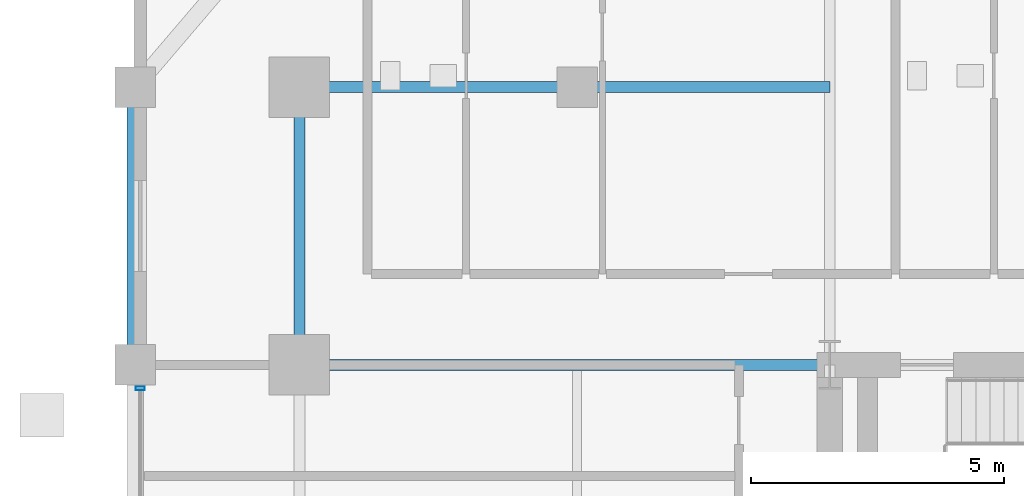
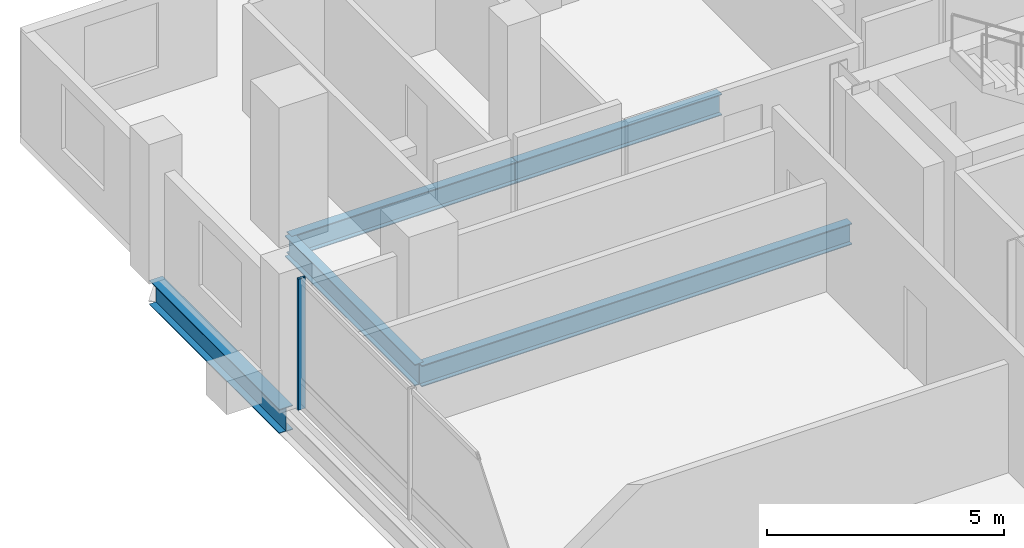
# One storey, part 8 of 19: 5 beams, 1 member, 1 element without a shape of its own.
"""IFC4 building model written with IfcOpenShell, lengths in metres."""

from ifc_helpers import new_model, si_unit, direction, frame, origin, origin_2d, place, context, subcontext, project, spatial, hollow_rectangle, i_section, extrude, material, layer, layer_set, material_profile, profile_set, type_object, element, aggregate, save


model = new_model("IFC4")

# Units and contexts
model_context = context("Model", 3, precision=1e-05, world=origin(), true_north=direction((0.0, 1.0)))
body_context = subcontext(model_context, "Body", "Model", "MODEL_VIEW")
ifc_project = project(units=[si_unit("LENGTHUNIT", "METRE"), si_unit("AREAUNIT", "SQUARE_METRE"), si_unit("VOLUMEUNIT", "CUBIC_METRE"), si_unit("PLANEANGLEUNIT", "RADIAN"), si_unit("MASSUNIT", "GRAM", prefix="KILO")], contexts=[model_context])

# Site, building, storey
site_placement = place(None, origin())
site = spatial("IfcSite", under=ifc_project, at=site_placement, CompositionType="ELEMENT")
building_placement = place(site_placement, origin())
building = spatial("IfcBuilding", under=site, at=building_placement, Name="Barlavira Tower and Art Museum", CompositionType="ELEMENT")
storey_placement = place(building_placement, frame((0.0, 0.0, 113.39990234375)))
storey = spatial("IfcBuildingStorey", under=building, at=storey_placement, Name="L28", CompositionType="ELEMENT", Elevation=113.39990234375)

# Curtain wall, member
ifc_material_1 = material(Name="Low-iron coastal laminated glass", Category="glass")
ifc_layer = layer(ifc_material_1, 0.18994140625, Name="Low-iron coastal laminated glass")
ifc_layer_set = layer_set([ifc_layer], Name="Low-iron coastal laminated glass")
curtain_wall_type = type_object("IfcCurtainWallType", Name="Pale-Metal Unitised Curtain Wall Zone 2", PredefinedType="NOTDEFINED", material=ifc_layer_set)
curtain_wall_placement = place(storey_placement, origin())
curtain_wall = element("IfcCurtainWall", 1, at=curtain_wall_placement, inside=storey, type_object=curtain_wall_type, Name="L28 Curtain Wall CW2-L28-W-B3", PredefinedType="NOTDEFINED")
ifc_material_2 = material(Name="Pale anodised aluminium", Category="aluminium")
ifc_material_profile_1 = material_profile(ifc_material_2, hollow_rectangle(XDim=0.06494140625, YDim=0.179931640625, WallThickness=0.00390625, at=origin_2d()), Name="ALU-MULL 65x180x4")
ifc_profile_set_1 = profile_set([ifc_material_profile_1], Name="Pale anodised aluminium")
member_type = type_object("IfcMemberType", Name="Curtain Wall Pale-Metal Mullion 65x180", PredefinedType="MULLION", material=ifc_profile_set_1)
member_placement = place(storey_placement, frame((-20.14990234375, 7.034912109375, 0.0), z_axis=(0.0, 0.0, 1.0), x_axis=(0.0, -1.0, 0.0)))
member = element("IfcMember", 2, at=member_placement, type_object=member_type, Name="CW2-L28-W-B3 Mullion 0", PredefinedType="MULLION", context=body_context, shape_type="SweptSolid", body=[
    extrude(hollow_rectangle(XDim=0.06494140625, YDim=0.179931640625, WallThickness=0.00390625, at=origin_2d()), origin(), (0.0, 0.0, 1.0), 3.380126953125),
])
aggregate(curtain_wall, [member])

# Beams
ifc_material_3 = material(Name="Steel S355", Category="steel")
ifc_material_profile_2 = material_profile(ifc_material_3, i_section(OverallWidth=0.327880859375, OverallDepth=0.62890625, WebThickness=0.013916015625, FlangeThickness=0.021484375, at=origin_2d()), Name="W610x174.0")
ifc_profile_set_2 = profile_set([ifc_material_profile_2], Name="Steel S355")
beam_type_1 = type_object("IfcBeamType", Name="Perimeter Spandrel Edge Beam W610x174 Steel S355", PredefinedType="SPANDREL", material=ifc_profile_set_2)
beam_1_placement = place(storey_placement, frame((-20.25, 7.5, -0.534423828125), z_axis=(0.0, 1.0, 0.0), x_axis=(-1.0, 0.0, 0.0)))
element("IfcBeam", 3, at=beam_1_placement, inside=storey, type_object=beam_type_1, Name="L28 Spandrel 13", PredefinedType="SPANDREL", context=body_context, shape_type="SweptSolid", body=[
    extrude(i_section(OverallWidth=0.327880859375, OverallDepth=0.62890625, WebThickness=0.013916015625, FlangeThickness=0.021484375, at=origin_2d()), origin(), (0.0, 0.0, 1.0), 5.5),
])
ifc_material_profile_3 = material_profile(ifc_material_3, i_section(OverallWidth=0.214111328125, OverallDepth=0.549072265625, WebThickness=0.0146484375, FlangeThickness=0.023681640625, at=origin_2d()), Name="W530x138.0")
ifc_profile_set_3 = profile_set([ifc_material_profile_3], Name="Steel S355")
beam_type_2 = type_object("IfcBeamType", Name="Zone 1 Primary Floor Girder W530x138 Steel S355", PredefinedType="BEAM", material=ifc_profile_set_3)
beam_2_placement = place(storey_placement, frame((-17.0, 7.5, -0.494384765625), z_axis=(0.0, 1.0, 0.0), x_axis=(-1.0, 0.0, 0.0)))
element("IfcBeam", 4, at=beam_2_placement, inside=storey, type_object=beam_type_2, Name="L28 Girder M-W3", PredefinedType="BEAM", context=body_context, shape_type="SweptSolid", body=[
    extrude(i_section(OverallWidth=0.214111328125, OverallDepth=0.549072265625, WebThickness=0.0146484375, FlangeThickness=0.023681640625, at=origin_2d()), origin(), (0.0, 0.0, 1.0), 5.5),
])
beam_3_placement = place(storey_placement, frame((-17.0, 7.5, -0.494384765625), z_axis=(1.0, 0.0, 0.0), x_axis=(0.0, 1.0, 0.0)))
element("IfcBeam", 5, at=beam_3_placement, inside=storey, type_object=beam_type_2, Name="L28 Girder R-W2", PredefinedType="BEAM", context=body_context, shape_type="SweptSolid", body=[
    extrude(i_section(OverallWidth=0.214111328125, OverallDepth=0.549072265625, WebThickness=0.0146484375, FlangeThickness=0.023681640625, at=origin_2d()), origin(), (0.0, 0.0, 1.0), 10.5),
])
beam_4_placement = place(storey_placement, frame((-17.0, 13.0, -0.494384765625), z_axis=(1.0, 0.0, 0.0), x_axis=(0.0, 1.0, 0.0)))
element("IfcBeam", 6, at=beam_4_placement, inside=storey, type_object=beam_type_2, Name="L28 Girder I-N1", PredefinedType="BEAM", context=body_context, shape_type="SweptSolid", body=[
    extrude(i_section(OverallWidth=0.214111328125, OverallDepth=0.549072265625, WebThickness=0.0146484375, FlangeThickness=0.023681640625, at=origin_2d()), origin(), (0.0, 0.0, 1.0), 5.5),
])
beam_5_placement = place(storey_placement, frame((-11.5, 13.0, -0.494384765625), z_axis=(1.0, 0.0, 0.0), x_axis=(0.0, 1.0, 0.0)))
element("IfcBeam", 7, at=beam_5_placement, inside=storey, type_object=beam_type_2, Name="L28 Girder I-N2", PredefinedType="BEAM", context=body_context, shape_type="SweptSolid", body=[
    extrude(i_section(OverallWidth=0.214111328125, OverallDepth=0.549072265625, WebThickness=0.0146484375, FlangeThickness=0.023681640625, at=origin_2d()), origin(), (0.0, 0.0, 1.0), 5.0),
])

save(model, "model.ifc")
